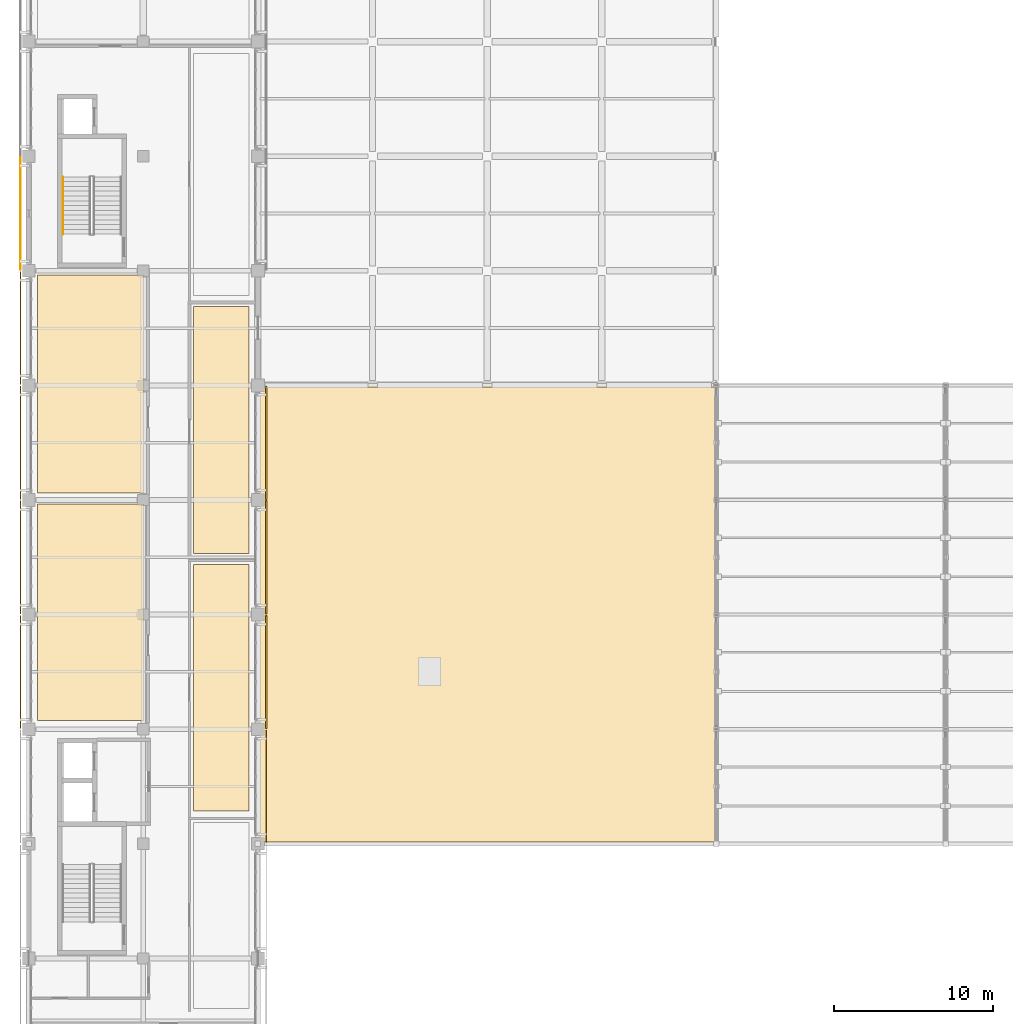
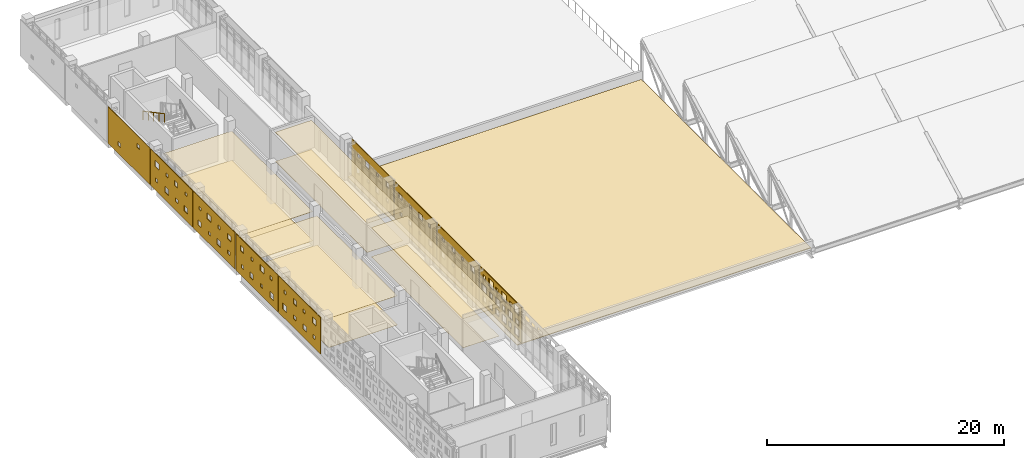
# One storey, part 47 of 51: 18 coverings, 1 railing.
"""IFC4 building model written with IfcOpenShell, lengths in metres."""

from ifc_helpers import new_model, si_unit, direction, frame, origin, origin_2d, place, context, subcontext, project, spatial, polyline, circle, outline, extrude, material, layer, layer_set, type_object, element, save


model = new_model("IFC4")

# Units and contexts
model_context = context("Model", 3, precision=1e-05, world=origin(), true_north=direction((0.0, 1.0)))
body_context = subcontext(model_context, "Body", "Model", "MODEL_VIEW")
ifc_project = project(units=[si_unit("LENGTHUNIT", "METRE"), si_unit("AREAUNIT", "SQUARE_METRE"), si_unit("VOLUMEUNIT", "CUBIC_METRE"), si_unit("PLANEANGLEUNIT", "RADIAN"), si_unit("MASSUNIT", "GRAM", prefix="KILO")], contexts=[model_context])

# Site, building, storey
site_placement = place(None, origin())
site = spatial("IfcSite", under=ifc_project, at=site_placement, CompositionType="ELEMENT")
building_placement = place(site_placement, origin())
building = spatial("IfcBuilding", under=site, at=building_placement, Name="Valkovuoma Quantum and Materials Research Institute", CompositionType="ELEMENT")
storey_placement = place(building_placement, frame((0.0, 0.0, 17.280029296875)))
storey = spatial("IfcBuildingStorey", under=building, at=storey_placement, Name="L04", CompositionType="ELEMENT", Elevation=17.280029296875)

# Coverings
ifc_material_1 = material(Name="Cleanable acoustic mineral-fibre suspended ceiling", Category="masonry")
ifc_layer_1 = layer(ifc_material_1, 0.02490234375)
ifc_layer_set_1 = layer_set([ifc_layer_1], Name="Cleanable acoustic mineral-fibre suspended ceiling")
covering_type_1 = type_object("IfcCoveringType", Name="Cov-CEIL-01", PredefinedType="CEILING", material=ifc_layer_set_1)
covering_1_placement = place(storey_placement, frame((0.0, 0.0, 3.0)))
element("IfcCovering", 1, at=covering_1_placement, inside=storey, type_object=covering_type_1, Name="L04 acoustic ceiling 0105", PredefinedType="CEILING", context=body_context, shape_type="SweptSolid", body=[
    extrude(outline(polyline([(0.550048828125, 43.75), (7.25, 43.75), (7.25, 57.35009765625), (0.550048828125, 57.35009765625), (0.550048828125, 43.75)])), origin(), (0.0, 0.0, 1.0), 0.02490234375),
])
covering_2_placement = place(storey_placement, frame((0.0, 0.0, 3.0)))
element("IfcCovering", 2, at=covering_2_placement, inside=storey, type_object=covering_type_1, Name="L04 acoustic ceiling 0106", PredefinedType="CEILING", context=body_context, shape_type="SweptSolid", body=[
    extrude(outline(polyline([(0.550048828125, 58.050048828125), (7.25, 58.050048828125), (7.25, 71.75), (0.550048828125, 71.75), (0.550048828125, 58.050048828125)])), origin(), (0.0, 0.0, 1.0), 0.02490234375),
])
covering_3_placement = place(storey_placement, frame((0.0, 0.0, 3.0)))
element("IfcCovering", 3, at=covering_3_placement, inside=storey, type_object=covering_type_1, Name="L04 acoustic ceiling 0109", PredefinedType="CEILING", context=body_context, shape_type="SweptSolid", body=[
    extrude(outline(polyline([(10.35009765625, 38.050048828125), (13.85009765625, 38.050048828125), (13.85009765625, 53.550048828125), (10.35009765625, 53.550048828125), (10.35009765625, 38.050048828125)])), origin(), (0.0, 0.0, 1.0), 0.02490234375),
])
covering_4_placement = place(storey_placement, frame((0.0, 0.0, 3.0)))
element("IfcCovering", 4, at=covering_4_placement, inside=storey, type_object=covering_type_1, Name="L04 acoustic ceiling 0110", PredefinedType="CEILING", context=body_context, shape_type="SweptSolid", body=[
    extrude(outline(polyline([(10.35009765625, 54.25), (13.85009765625, 54.25), (13.85009765625, 69.75), (10.35009765625, 69.75), (10.35009765625, 54.25)])), origin(), (0.0, 0.0, 1.0), 0.02490234375),
])
ifc_material_2 = material(Name="Seamless dissipative laboratory resin flooring", Category="masonry")
ifc_layer_2 = layer(ifc_material_2, 0.014892578125)
ifc_layer_set_2 = layer_set([ifc_layer_2], Name="Seamless dissipative laboratory resin flooring")
covering_type_2 = type_object("IfcCoveringType", Name="Cov-FLOR-01", PredefinedType="FLOORING", material=ifc_layer_set_2)
covering_5_placement = place(storey_placement, origin())
element("IfcCovering", 5, at=covering_5_placement, inside=storey, type_object=covering_type_2, Name="L04 resin flooring 0105", PredefinedType="FLOORING", context=body_context, shape_type="SweptSolid", body=[
    extrude(outline(polyline([(0.550048828125, 43.75), (7.25, 43.75), (7.25, 57.35009765625), (0.550048828125, 57.35009765625), (0.550048828125, 43.75)])), origin(), (0.0, 0.0, 1.0), 0.014892578125),
])
covering_6_placement = place(storey_placement, origin())
element("IfcCovering", 6, at=covering_6_placement, inside=storey, type_object=covering_type_2, Name="L04 resin flooring 0106", PredefinedType="FLOORING", context=body_context, shape_type="SweptSolid", body=[
    extrude(outline(polyline([(0.550048828125, 58.050048828125), (7.25, 58.050048828125), (7.25, 71.75), (0.550048828125, 71.75), (0.550048828125, 58.050048828125)])), origin(), (0.0, 0.0, 1.0), 0.014892578125),
])
covering_7_placement = place(storey_placement, origin())
element("IfcCovering", 7, at=covering_7_placement, inside=storey, type_object=covering_type_2, Name="L04 resin flooring 0109", PredefinedType="FLOORING", context=body_context, shape_type="SweptSolid", body=[
    extrude(outline(polyline([(10.35009765625, 38.050048828125), (13.85009765625, 38.050048828125), (13.85009765625, 53.550048828125), (10.35009765625, 53.550048828125), (10.35009765625, 38.050048828125)])), origin(), (0.0, 0.0, 1.0), 0.014892578125),
])
covering_8_placement = place(storey_placement, origin())
element("IfcCovering", 8, at=covering_8_placement, inside=storey, type_object=covering_type_2, Name="L04 resin flooring 0110", PredefinedType="FLOORING", context=body_context, shape_type="SweptSolid", body=[
    extrude(outline(polyline([(10.35009765625, 54.25), (13.85009765625, 54.25), (13.85009765625, 69.75), (10.35009765625, 69.75), (10.35009765625, 54.25)])), origin(), (0.0, 0.0, 1.0), 0.014892578125),
])
ifc_material_3 = material(Name="White powder-coated aluminium architectural panel", Category="aluminium")
ifc_layer_3 = layer(ifc_material_3, 0.054931640625)
ifc_layer_set_3 = layer_set([ifc_layer_3], Name="White powder-coated aluminium architectural panel")
covering_type_3 = type_object("IfcCoveringType", Name="Cov-PERF-DENSE", PredefinedType="CLADDING", material=ifc_layer_set_3)
covering_9_placement = place(storey_placement, frame((14.919921875, 36.06005859375, 0.02001953125), z_axis=(0.0, 0.0, 1.0), x_axis=(0.0, 1.0, 0.0)))
element("IfcCovering", 9, at=covering_9_placement, inside=storey, type_object=covering_type_3, Name="L04 graduated perforated white screen E-0042", PredefinedType="CLADDING", context=body_context, shape_type="SweptSolid", body=[
    extrude(outline(polyline([(0.0, 0.0), (7.079833984375, 0.0), (7.079833984375, 3.77001953125), (0.0, 3.77001953125), (0.0, 0.0)]), holes=[polyline([(0.418212890625, 0.39501953125), (0.418212890625, 1.155029296875), (1.17822265625, 1.155029296875), (1.17822265625, 0.39501953125), (0.418212890625, 0.39501953125)]), polyline([(0.46826171875, 1.56494140625), (0.46826171875, 2.10498046875), (1.00830078125, 2.10498046875), (1.00830078125, 1.56494140625), (0.46826171875, 1.56494140625)]), polyline([(0.438232421875, 2.625), (0.438232421875, 3.465087890625), (1.2783203125, 3.465087890625), (1.2783203125, 2.625), (0.438232421875, 2.625)]), polyline([(1.6650390625, 0.485107421875), (1.6650390625, 1.06494140625), (2.2451171875, 1.06494140625), (2.2451171875, 0.485107421875), (1.6650390625, 0.485107421875)]), polyline([(1.4951171875, 1.43505859375), (1.4951171875, 2.235107421875), (2.294921875, 2.235107421875), (2.294921875, 1.43505859375), (1.4951171875, 1.43505859375)]), polyline([(1.625, 2.8349609375), (1.625, 3.2548828125), (2.044921875, 3.2548828125), (2.044921875, 2.8349609375), (1.625, 2.8349609375)]), polyline([(2.5517578125, 0.39501953125), (2.5517578125, 1.155029296875), (3.311767578125, 1.155029296875), (3.311767578125, 0.39501953125), (2.5517578125, 0.39501953125)]), polyline([(2.78173828125, 1.56494140625), (2.78173828125, 2.10498046875), (3.32177734375, 2.10498046875), (3.32177734375, 1.56494140625), (2.78173828125, 1.56494140625)]), polyline([(2.57177734375, 2.625), (2.57177734375, 3.465087890625), (3.41162109375, 3.465087890625), (3.41162109375, 2.625), (2.57177734375, 2.625)]), polyline([(3.79833984375, 0.485107421875), (3.79833984375, 1.06494140625), (4.37841796875, 1.06494140625), (4.37841796875, 0.485107421875), (3.79833984375, 0.485107421875)]), polyline([(3.62841796875, 1.43505859375), (3.62841796875, 2.235107421875), (4.42822265625, 2.235107421875), (4.42822265625, 1.43505859375), (3.62841796875, 1.43505859375)]), polyline([(3.938232421875, 2.8349609375), (3.938232421875, 3.2548828125), (4.3583984375, 3.2548828125), (4.3583984375, 2.8349609375), (3.938232421875, 2.8349609375)]), polyline([(4.864990234375, 0.39501953125), (4.864990234375, 1.155029296875), (5.625, 1.155029296875), (5.625, 0.39501953125), (4.864990234375, 0.39501953125)]), polyline([(4.9150390625, 1.56494140625), (4.9150390625, 2.10498046875), (5.455078125, 2.10498046875), (5.455078125, 1.56494140625), (4.9150390625, 1.56494140625)]), polyline([(4.705078125, 2.625), (4.705078125, 3.465087890625), (5.544921875, 3.465087890625), (5.544921875, 2.625), (4.705078125, 2.625)]), polyline([(5.931640625, 0.485107421875), (5.931640625, 1.06494140625), (6.51171875, 1.06494140625), (6.51171875, 0.485107421875), (5.931640625, 0.485107421875)]), polyline([(5.941650390625, 1.43505859375), (5.941650390625, 2.235107421875), (6.74169921875, 2.235107421875), (6.74169921875, 1.43505859375), (5.941650390625, 1.43505859375)]), polyline([(6.07177734375, 2.8349609375), (6.07177734375, 3.2548828125), (6.49169921875, 3.2548828125), (6.49169921875, 2.8349609375), (6.07177734375, 2.8349609375)])]), frame((0.0, 0.02734375, 0.0), z_axis=(0.0, -1.0, 0.0), x_axis=(1.0, 0.0, 0.0)), (0.0, 0.0, 1.0), 0.054931640625),
])
ifc_material_4 = material(Name="White powder-coated aluminium architectural panel", Category="aluminium")
ifc_layer_4 = layer(ifc_material_4, 0.054931640625)
ifc_layer_set_4 = layer_set([ifc_layer_4], Name="White powder-coated aluminium architectural panel")
covering_type_4 = type_object("IfcCoveringType", Name="Cov-PERF-MID", PredefinedType="CLADDING", material=ifc_layer_set_4)
for number, where, z_axis, x_axis, name in (
    (10, (-0.52001953125, 43.260009765625, 0.02001953125), (0.0, 0.0, 1.0), (0.0, 1.0, 0.0), "L04 graduated perforated white screen W-0043"),
    (11, (14.919921875, 43.260009765625, 0.02001953125), (0.0, 0.0, 1.0), (0.0, 1.0, 0.0), "L04 graduated perforated white screen E-0044"),
):
    element("IfcCovering", number, at=place(storey_placement, frame(where, z_axis=z_axis, x_axis=x_axis)), inside=storey, type_object=covering_type_4, Name=name, PredefinedType="CLADDING", context=body_context, shape_type="SweptSolid", body=[
        extrude(outline(polyline([(0.0, 0.0), (7.080078125, 0.0), (7.080078125, 3.77001953125), (0.0, 3.77001953125), (0.0, 0.0)]), holes=[polyline([(0.96240234375, 0.9326171875), (0.96240234375, 1.2724609375), (1.302490234375, 1.2724609375), (1.302490234375, 0.9326171875), (0.96240234375, 0.9326171875)]), polyline([(0.762451171875, 2.407470703125), (0.762451171875, 3.027587890625), (1.382568359375, 3.027587890625), (1.382568359375, 2.407470703125), (0.762451171875, 2.407470703125)]), polyline([(2.387451171875, 0.83251953125), (2.387451171875, 1.37255859375), (2.927490234375, 1.37255859375), (2.927490234375, 0.83251953125), (2.387451171875, 0.83251953125)]), polyline([(2.607421875, 2.547607421875), (2.607421875, 2.887451171875), (2.947509765625, 2.887451171875), (2.947509765625, 2.547607421875), (2.607421875, 2.547607421875)]), polyline([(4.172607421875, 0.91259765625), (4.172607421875, 1.29248046875), (4.552490234375, 1.29248046875), (4.552490234375, 0.91259765625), (4.172607421875, 0.91259765625)]), polyline([(4.032470703125, 2.447509765625), (4.032470703125, 2.987548828125), (4.572509765625, 2.987548828125), (4.572509765625, 2.447509765625), (4.032470703125, 2.447509765625)]), polyline([(5.757568359375, 0.79248046875), (5.757568359375, 1.41259765625), (6.37744140625, 1.41259765625), (6.37744140625, 0.79248046875), (5.757568359375, 0.79248046875)]), polyline([(5.8173828125, 2.527587890625), (5.8173828125, 2.907470703125), (6.197509765625, 2.907470703125), (6.197509765625, 2.527587890625), (5.8173828125, 2.527587890625)])]), frame((0.0, 0.02734375, 0.0), z_axis=(0.0, -1.0, 0.0), x_axis=(1.0, 0.0, 0.0)), (0.0, 0.0, 1.0), 0.054931640625),
    ])
for number, where, z_axis, x_axis, name in (
    (12, (-0.52001953125, 50.4599609375, 0.02001953125), (0.0, 0.0, 1.0), (0.0, 1.0, 0.0), "L04 graduated perforated white screen W-0045"),
    (13, (14.919921875, 50.4599609375, 0.02001953125), (0.0, 0.0, 1.0), (0.0, 1.0, 0.0), "L04 graduated perforated white screen E-0046"),
):
    element("IfcCovering", number, at=place(storey_placement, frame(where, z_axis=z_axis, x_axis=x_axis)), inside=storey, type_object=covering_type_4, Name=name, PredefinedType="CLADDING", context=body_context, shape_type="SweptSolid", body=[
        extrude(outline(polyline([(0.0, 0.0), (7.080078125, 0.0), (7.080078125, 3.77001953125), (0.0, 3.77001953125), (0.0, 0.0)]), holes=[polyline([(0.702392578125, 0.6923828125), (0.702392578125, 1.3125), (1.322509765625, 1.3125), (1.322509765625, 0.6923828125), (0.702392578125, 0.6923828125)]), polyline([(0.9423828125, 2.577392578125), (0.9423828125, 2.95751953125), (1.322509765625, 2.95751953125), (1.322509765625, 2.577392578125), (0.9423828125, 2.577392578125)]), polyline([(2.547607421875, 0.83251953125), (2.547607421875, 1.172607421875), (2.887451171875, 1.172607421875), (2.887451171875, 0.83251953125), (2.547607421875, 0.83251953125)]), polyline([(2.347412109375, 2.45751953125), (2.347412109375, 3.077392578125), (2.967529296875, 3.077392578125), (2.967529296875, 2.45751953125), (2.347412109375, 2.45751953125)]), polyline([(4.152587890625, 0.732421875), (4.152587890625, 1.2724609375), (4.6923828125, 1.2724609375), (4.6923828125, 0.732421875), (4.152587890625, 0.732421875)]), polyline([(4.1923828125, 2.597412109375), (4.1923828125, 2.9375), (4.532470703125, 2.9375), (4.532470703125, 2.597412109375), (4.1923828125, 2.597412109375)]), polyline([(5.757568359375, 0.8125), (5.757568359375, 1.1923828125), (6.137451171875, 1.1923828125), (6.137451171875, 0.8125), (5.757568359375, 0.8125)]), polyline([(5.797607421875, 2.49755859375), (5.797607421875, 3.03759765625), (6.33740234375, 3.03759765625), (6.33740234375, 2.49755859375), (5.797607421875, 2.49755859375)])]), frame((0.0, 0.02734375, 0.0), z_axis=(0.0, -1.0, 0.0), x_axis=(1.0, 0.0, 0.0)), (0.0, 0.0, 1.0), 0.054931640625),
    ])
for number, where, z_axis, x_axis, name in (
    (14, (-0.52001953125, 57.659912109375, 0.02001953125), (0.0, 0.0, 1.0), (0.0, 1.0, 0.0), "L04 graduated perforated white screen W-0047"),
    (15, (14.919921875, 57.659912109375, 0.02001953125), (0.0, 0.0, 1.0), (0.0, 1.0, 0.0), "L04 graduated perforated white screen E-0048"),
):
    element("IfcCovering", number, at=place(storey_placement, frame(where, z_axis=z_axis, x_axis=x_axis)), inside=storey, type_object=covering_type_4, Name=name, PredefinedType="CLADDING", context=body_context, shape_type="SweptSolid", body=[
        extrude(outline(polyline([(0.0, 0.0), (7.080078125, 0.0), (7.080078125, 3.77001953125), (0.0, 3.77001953125), (0.0, 0.0)]), holes=[polyline([(0.882568359375, 0.862548828125), (0.882568359375, 1.242431640625), (1.262451171875, 1.242431640625), (1.262451171875, 0.862548828125), (0.882568359375, 0.862548828125)]), polyline([(0.742431640625, 2.3974609375), (0.742431640625, 2.9375), (1.282470703125, 2.9375), (1.282470703125, 2.3974609375), (0.742431640625, 2.3974609375)]), polyline([(2.467529296875, 0.742431640625), (2.467529296875, 1.362548828125), (3.08740234375, 1.362548828125), (3.08740234375, 0.742431640625), (2.467529296875, 0.742431640625)]), polyline([(2.527587890625, 2.4775390625), (2.527587890625, 2.857421875), (2.907470703125, 2.857421875), (2.907470703125, 2.4775390625), (2.527587890625, 2.4775390625)]), polyline([(4.132568359375, 0.882568359375), (4.132568359375, 1.222412109375), (4.472412109375, 1.222412109375), (4.472412109375, 0.882568359375), (4.132568359375, 0.882568359375)]), polyline([(4.112548828125, 2.357421875), (4.112548828125, 2.9775390625), (4.732421875, 2.9775390625), (4.732421875, 2.357421875), (4.112548828125, 2.357421875)]), polyline([(5.737548828125, 0.782470703125), (5.737548828125, 1.322509765625), (6.277587890625, 1.322509765625), (6.277587890625, 0.782470703125), (5.737548828125, 0.782470703125)]), polyline([(5.777587890625, 2.49755859375), (5.777587890625, 2.83740234375), (6.117431640625, 2.83740234375), (6.117431640625, 2.49755859375), (5.777587890625, 2.49755859375)])]), frame((0.0, 0.02734375, 0.0), z_axis=(0.0, -1.0, 0.0), x_axis=(1.0, 0.0, 0.0)), (0.0, 0.0, 1.0), 0.054931640625),
    ])
covering_10_placement = place(storey_placement, frame((-0.52001953125, 64.860107421875, 0.02001953125), z_axis=(0.0, 0.0, 1.0), x_axis=(0.0, 1.0, 0.0)))
element("IfcCovering", 16, at=covering_10_placement, inside=storey, type_object=covering_type_4, Name="L04 graduated perforated white screen W-0049", PredefinedType="CLADDING", context=body_context, shape_type="SweptSolid", body=[
    extrude(outline(polyline([(0.0, 0.0), (7.079833984375, 0.0), (7.079833984375, 3.77001953125), (0.0, 3.77001953125), (0.0, 0.0)]), holes=[polyline([(0.862548828125, 0.83251953125), (0.862548828125, 1.37255859375), (1.402587890625, 1.37255859375), (1.402587890625, 0.83251953125), (0.862548828125, 0.83251953125)]), polyline([(0.902587890625, 2.547607421875), (0.902587890625, 2.887451171875), (1.242431640625, 2.887451171875), (1.242431640625, 2.547607421875), (0.902587890625, 2.547607421875)]), polyline([(2.467529296875, 0.91259765625), (2.467529296875, 1.29248046875), (2.847412109375, 1.29248046875), (2.847412109375, 0.91259765625), (2.467529296875, 0.91259765625)]), polyline([(2.507568359375, 2.447509765625), (2.507568359375, 2.987548828125), (3.047607421875, 2.987548828125), (3.047607421875, 2.447509765625), (2.507568359375, 2.447509765625)]), polyline([(4.052490234375, 0.79248046875), (4.052490234375, 1.41259765625), (4.672607421875, 1.41259765625), (4.672607421875, 0.79248046875), (4.052490234375, 0.79248046875)]), polyline([(4.112548828125, 2.527587890625), (4.112548828125, 2.907470703125), (4.492431640625, 2.907470703125), (4.492431640625, 2.527587890625), (4.112548828125, 2.527587890625)]), polyline([(5.8974609375, 0.9326171875), (5.8974609375, 1.2724609375), (6.237548828125, 1.2724609375), (6.237548828125, 0.9326171875), (5.8974609375, 0.9326171875)]), polyline([(5.697509765625, 2.407470703125), (5.697509765625, 3.027587890625), (6.3173828125, 3.027587890625), (6.3173828125, 2.407470703125), (5.697509765625, 2.407470703125)])]), frame((0.0, 0.02734375, 0.0), z_axis=(0.0, -1.0, 0.0), x_axis=(1.0, 0.0, 0.0)), (0.0, 0.0, 1.0), 0.054931640625),
])
ifc_material_5 = material(Name="White powder-coated aluminium architectural panel", Category="aluminium")
ifc_layer_5 = layer(ifc_material_5, 0.054931640625)
ifc_layer_set_5 = layer_set([ifc_layer_5], Name="White powder-coated aluminium architectural panel")
covering_type_5 = type_object("IfcCoveringType", Name="Cov-PERF-SPARSE", PredefinedType="CLADDING", material=ifc_layer_set_5)
covering_11_placement = place(storey_placement, frame((-0.52001953125, 72.06005859375, 0.02001953125), z_axis=(0.0, 0.0, 1.0), x_axis=(0.0, 1.0, 0.0)))
element("IfcCovering", 17, at=covering_11_placement, inside=storey, type_object=covering_type_5, Name="L04 graduated perforated white screen W-0050", PredefinedType="CLADDING", context=body_context, shape_type="SweptSolid", body=[
    extrude(outline(polyline([(0.0, 0.0), (7.079833984375, 0.0), (7.079833984375, 3.77001953125), (0.0, 3.77001953125), (0.0, 0.0)]), holes=[polyline([(1.7548828125, 2.5673828125), (1.7548828125, 2.967529296875), (2.155029296875, 2.967529296875), (2.155029296875, 2.5673828125), (1.7548828125, 2.5673828125)]), polyline([(4.985107421875, 0.802490234375), (4.985107421875, 1.202392578125), (5.385009765625, 1.202392578125), (5.385009765625, 0.802490234375), (4.985107421875, 0.802490234375)])]), frame((0.0, 0.02734375, 0.0), z_axis=(0.0, -1.0, 0.0), x_axis=(1.0, 0.0, 0.0)), (0.0, 0.0, 1.0), 0.054931640625),
])
ifc_material_6 = material(Name="Standing-seam zinc and insulated snow-shedding roofing", Category="aluminium")
ifc_layer_6 = layer(ifc_material_6, 0.06005859375)
ifc_layer_set_6 = layer_set([ifc_layer_6], Name="Standing-seam zinc and insulated snow-shedding roofing")
covering_type_6 = type_object("IfcCoveringType", Name="Cov-ROOF-01", PredefinedType="ROOFING", material=ifc_layer_set_6)
covering_12_placement = place(storey_placement, origin())
element("IfcCovering", 18, at=covering_12_placement, inside=storey, type_object=covering_type_6, Name="L04 roof covering RFG-V2-WEST", PredefinedType="ROOFING", context=body_context, shape_type="SweptSolid", body=[
    extrude(outline(polyline([(14.5, 36.10009765625), (43.10009765625, 36.10009765625), (43.10009765625, 64.699951171875), (14.5, 64.699951171875), (14.5, 36.10009765625)])), origin(), (0.0, 0.0, 1.0), 0.06005859375),
])

# Railing
ifc_material_7 = material(Name="Brushed stainless steel handrail", Category="steel")
railing_type = type_object("IfcRailingType", Name="Rail-HR-ST", PredefinedType="HANDRAIL", material=ifc_material_7)
railing_placement = place(storey_placement, frame((2.14990234375, 77.89990234375, 2.239990234375)))
element("IfcRailing", 19, at=railing_placement, inside=storey, type_object=railing_type, Name="L04 ST-2 stair handrail 2", PredefinedType="HANDRAIL", context=body_context, shape_type="SweptSolid", body=[
    extrude(circle(Radius=0.02392578125, at=origin_2d()), frame((0.0, 0.0, 0.8759765625), z_axis=(0.0, -0.882352941176, 0.470588235294), x_axis=(1.0, 0.0, 0.0)), (0.0, 0.0, 1.0), 4.079833984375),
    extrude(circle(Radius=0.02099609375, at=origin_2d()), origin(), (0.0, 0.0, 1.0), 0.851806640625),
    extrude(circle(Radius=0.02099609375, at=origin_2d()), frame((0.0, -0.89990234375, 0.47998046875)), (0.0, 0.0, 1.0), 0.851806640625),
    extrude(circle(Radius=0.02099609375, at=origin_2d()), frame((0.0, -1.7998046875, 0.9599609375)), (0.0, 0.0, 1.0), 0.851806640625),
    extrude(circle(Radius=0.02099609375, at=origin_2d()), frame((0.0, -2.699951171875, 1.43994140625)), (0.0, 0.0, 1.0), 0.851806640625),
    extrude(circle(Radius=0.02099609375, at=origin_2d()), frame((0.0, -3.599853515625, 1.919921875)), (0.0, 0.0, 1.0), 0.851806640625),
])

save(model, "model.ifc")
